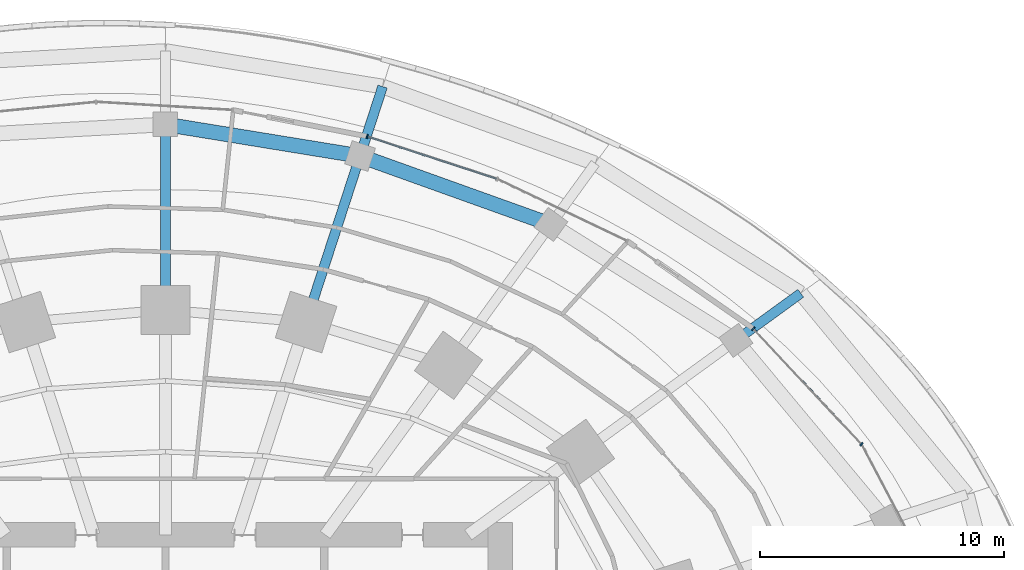
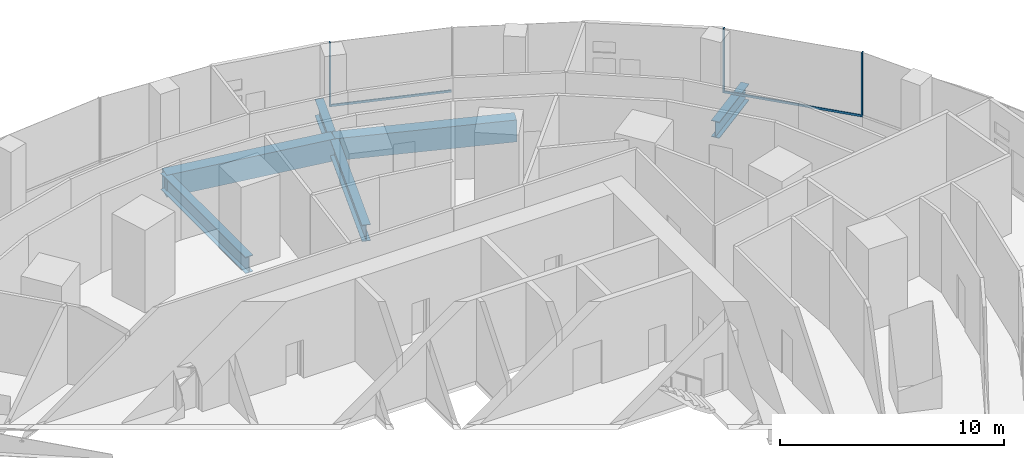
# One storey, part 11 of 26: 6 beams, 5 members, 2 elements without a shape of their own.
"""IFC4 building model written with IfcOpenShell, lengths in metres."""

from ifc_helpers import new_model, si_unit, direction, frame, origin, origin_2d, place, context, subcontext, project, spatial, rectangle, i_section, extrude, material, material_profile, profile_set, type_object, element, aggregate, save


model = new_model("IFC4")

# Units and contexts
model_context = context("Model", 3, precision=1e-05, world=origin(), true_north=direction((0.0, 1.0)))
body_context = subcontext(model_context, "Body", "Model", "MODEL_VIEW")
ifc_project = project(units=[si_unit("LENGTHUNIT", "METRE"), si_unit("AREAUNIT", "SQUARE_METRE"), si_unit("VOLUMEUNIT", "CUBIC_METRE"), si_unit("PLANEANGLEUNIT", "RADIAN"), si_unit("MASSUNIT", "GRAM", prefix="KILO")], contexts=[model_context])

# Site, building, storey
site_placement = place(None, origin())
site = spatial("IfcSite", under=ifc_project, at=site_placement, CompositionType="ELEMENT")
building_placement = place(site_placement, origin())
building = spatial("IfcBuilding", under=site, at=building_placement, Name="Marramba Exchange Tower", CompositionType="ELEMENT")
storey_placement = place(building_placement, frame((0.0, 0.0, 15.10009765625)))
storey = spatial("IfcBuildingStorey", under=building, at=storey_placement, Name="L03", CompositionType="ELEMENT", Elevation=15.10009765625)

# Beams
ifc_material_1 = material(Name="Concrete N50", Category="concrete")
ifc_material_profile_1 = material_profile(ifc_material_1, rectangle(XDim=0.60009765625, YDim=1.199951171875, at=origin_2d()), Name="RC 600x1200")
ifc_profile_set_1 = profile_set([ifc_material_profile_1], Name="Concrete N50")
beam_type_1 = type_object("IfcBeamType", Name="Edge beam RC 600x1200 N50", PredefinedType="SPANDREL", material=ifc_profile_set_1)
beam_1_placement = place(storey_placement, frame((15.769775390625, 21.705078125, -0.800048828125), z_axis=(-0.941347695699, 0.337438165895, 0.0), x_axis=(-0.337438165895, -0.941347695699, 0.0)))
element("IfcBeam", 1, at=beam_1_placement, inside=storey, type_object=beam_type_1, Name="Edge beam L03 P3C04", PredefinedType="SPANDREL", context=body_context, shape_type="SweptSolid", body=[
    extrude(rectangle(XDim=0.60009765625, YDim=1.199951171875, at=origin_2d()), origin(), (0.0, 0.0, 1.0), 8.29443359375),
])
beam_2_placement = place(storey_placement, frame((7.9619140625, 24.50390625, -0.800048828125), z_axis=(-0.987006935066, 0.160677659091, 0.0), x_axis=(-0.160677659091, -0.987006935066, 0.0)))
element("IfcBeam", 2, at=beam_2_placement, inside=storey, type_object=beam_type_1, Name="Edge beam L03 P3C05", PredefinedType="SPANDREL", context=body_context, shape_type="SweptSolid", body=[
    extrude(rectangle(XDim=0.60009765625, YDim=1.199951171875, at=origin_2d()), origin(), (0.0, 0.0, 1.0), 8.066650390625),
])

# Curtain wall, members
ifc_material_2 = material(Name="Aluminium framing, bronze anodised", Category="aluminium")
curtain_wall_type = type_object("IfcCurtainWallType", Name="Podium ribbon curtain wall", PredefinedType="USERDEFINED", material=ifc_material_2)
curtain_wall_1_placement = place(storey_placement, origin())
curtain_wall_1 = element("IfcCurtainWall", 3, at=curtain_wall_1_placement, inside=storey, type_object=curtain_wall_type, Name="Curtain wall CW2 L03 F02-F03", ObjectType="RIBBON CURTAIN WALL", PredefinedType="USERDEFINED")
ifc_material_3 = material(Name="Aluminium mullion, bronze anodised", Category="aluminium")
ifc_material_profile_2 = material_profile(ifc_material_3, rectangle(XDim=0.159912109375, YDim=0.06005859375, at=origin_2d()), Name="CW2 mullion 60x160")
ifc_profile_set_2 = profile_set([ifc_material_profile_2], Name="Aluminium mullion, bronze anodised")
member_type_1 = type_object("IfcMemberType", Name="Podium ribbon curtain wall mullion", PredefinedType="MULLION", material=ifc_profile_set_2)
member_1_placement = place(storey_placement, frame((28.482421875, 12.712158203125, 0.7998046875), z_axis=(0.0, 0.0, 1.0), x_axis=(-0.729344394125, -0.684146734815, 0.0)))
member_1 = element("IfcMember", 4, at=member_1_placement, type_object=member_type_1, Name="CW2 mullion 1", PredefinedType="MULLION", context=body_context, shape_type="SweptSolid", body=[
    extrude(rectangle(XDim=0.159912109375, YDim=0.06005859375, at=origin_2d()), origin(), (0.0, 0.0, 1.0), 3.5),
])
member_2_placement = place(storey_placement, frame((24.050537109375, 17.43701171875, 0.7998046875), z_axis=(0.0, 0.0, 1.0), x_axis=(-0.729344394125, -0.684146734815, 0.0)))
member_2 = element("IfcMember", 5, at=member_2_placement, type_object=member_type_1, Name="CW2 mullion 2", PredefinedType="MULLION", context=body_context, shape_type="SweptSolid", body=[
    extrude(rectangle(XDim=0.159912109375, YDim=0.06005859375, at=origin_2d()), origin(), (0.0, 0.0, 1.0), 3.5),
])

# Curtain wall, member
curtain_wall_2_placement = place(storey_placement, origin())
curtain_wall_2 = element("IfcCurtainWall", 6, at=curtain_wall_2_placement, inside=storey, type_object=curtain_wall_type, Name="Curtain wall CW2 L03 F06", ObjectType="RIBBON CURTAIN WALL", PredefinedType="USERDEFINED")
member_3_placement = place(storey_placement, frame((8.2529296875, 25.302978515625, 0.7998046875), z_axis=(0.0, 0.0, 1.0), x_axis=(-0.310861800816, -0.950455122977, 0.0)))
member_3 = element("IfcMember", 7, at=member_3_placement, type_object=member_type_1, Name="CW2 mullion 2", PredefinedType="MULLION", context=body_context, shape_type="SweptSolid", body=[
    extrude(rectangle(XDim=0.159912109375, YDim=0.06005859375, at=origin_2d()), origin(), (0.0, 0.0, 1.0), 3.5),
])

# Member
ifc_material_4 = material(Name="Aluminium transom, bronze anodised", Category="aluminium")
ifc_material_profile_3 = material_profile(ifc_material_4, rectangle(XDim=0.06005859375, YDim=0.1201171875, at=origin_2d()), Name="CW2 transom 60x120")
ifc_profile_set_3 = profile_set([ifc_material_profile_3], Name="Aluminium transom, bronze anodised")
member_type_2 = type_object("IfcMemberType", Name="Podium ribbon curtain wall transom", PredefinedType="USERDEFINED", material=ifc_profile_set_3)
member_4_placement = place(storey_placement, frame((28.4619140625, 12.734130859375, 0.829833984375), z_axis=(-0.684149886052, 0.729341438158, 0.0), x_axis=(-0.729341438158, -0.684149886052, 0.0)))
member_4 = element("IfcMember", 8, at=member_4_placement, type_object=member_type_2, Name="CW2 sill transom", ObjectType="TRANSOM", PredefinedType="USERDEFINED", context=body_context, shape_type="SweptSolid", body=[
    extrude(rectangle(XDim=0.06005859375, YDim=0.1201171875, at=origin_2d()), origin(), (0.0, 0.0, 1.0), 6.41796875),
])

aggregate(curtain_wall_1, [member_1, member_2, member_4])

member_5_placement = place(storey_placement, frame((13.542236328125, 23.5732421875, 0.829833984375), z_axis=(-0.950463251474, 0.310836946962, 0.0), x_axis=(-0.310836946962, -0.950463251474, 0.0)))
member_5 = element("IfcMember", 9, at=member_5_placement, type_object=member_type_2, Name="CW2 sill transom", ObjectType="TRANSOM", PredefinedType="USERDEFINED", context=body_context, shape_type="SweptSolid", body=[
    extrude(rectangle(XDim=0.06005859375, YDim=0.1201171875, at=origin_2d()), origin(), (0.0, 0.0, 1.0), 5.534912109375),
])

aggregate(curtain_wall_2, [member_3, member_5])

# Beams
ifc_material_5 = material(Name="Steel AS/NZS 3679.2 grade 300", Category="steel")
ifc_material_profile_4 = material_profile(ifc_material_5, i_section(OverallWidth=0.39990234375, OverallDepth=0.89990234375, WebThickness=0.01611328125, FlangeThickness=0.031982421875, at=origin_2d()), Name="900WB282")
ifc_profile_set_4 = profile_set([ifc_material_profile_4], Name="Steel AS/NZS 3679.2 grade 300")
beam_type_2 = type_object("IfcBeamType", Name="Radial girder 900WB282", PredefinedType="BEAM", material=ifc_profile_set_4)
beam_3_placement = place(storey_placement, frame((25.99658203125, 18.8876953125, -0.7001953125), z_axis=(-0.809015945709, -0.587786695655, 0.0), x_axis=(0.587786695655, -0.809015945709, 0.0)))
element("IfcBeam", 10, at=beam_3_placement, inside=storey, type_object=beam_type_2, Name="Radial girder L03 P2C03", PredefinedType="BEAM", context=body_context, shape_type="SweptSolid", body=[
    extrude(i_section(OverallWidth=0.39990234375, OverallDepth=0.89990234375, WebThickness=0.01611328125, FlangeThickness=0.031982421875, at=origin_2d()), origin(), (0.0, 0.0, 1.0), 3.281005859375),
])
beam_4_placement = place(storey_placement, frame((8.8857421875, 27.347412109375, -0.7001953125), z_axis=(-0.308991903915, -0.951064668314, 0.0), x_axis=(0.951064668314, -0.308991903915, 0.0)))
element("IfcBeam", 11, at=beam_4_placement, inside=storey, type_object=beam_type_2, Name="Radial girder L03 P2C05", PredefinedType="BEAM", context=body_context, shape_type="SweptSolid", body=[
    extrude(i_section(OverallWidth=0.39990234375, OverallDepth=0.89990234375, WebThickness=0.01611328125, FlangeThickness=0.031982421875, at=origin_2d()), origin(), (0.0, 0.0, 1.0), 2.98974609375),
])
beam_5_placement = place(storey_placement, frame((7.9619140625, 24.50390625, -0.650146484375), z_axis=(-0.309022717386, -0.951054656757, 0.0), x_axis=(0.951054656757, -0.309022717386, 0.0)))
element("IfcBeam", 12, at=beam_5_placement, inside=storey, type_object=beam_type_2, Name="Radial girder L03 P3C05", PredefinedType="BEAM", context=body_context, shape_type="SweptSolid", body=[
    extrude(i_section(OverallWidth=0.39990234375, OverallDepth=0.89990234375, WebThickness=0.01611328125, FlangeThickness=0.031982421875, at=origin_2d()), origin(), (0.0, 0.0, 1.0), 7.14501953125),
])
beam_6_placement = place(storey_placement, frame((0.0, 25.800048828125, -0.650146484375), z_axis=(0.0, -1.0, 0.0), x_axis=(1.0, 0.0, 0.0)))
element("IfcBeam", 13, at=beam_6_placement, inside=storey, type_object=beam_type_2, Name="Radial girder L03 P3C06", PredefinedType="BEAM", context=body_context, shape_type="SweptSolid", body=[
    extrude(i_section(OverallWidth=0.39990234375, OverallDepth=0.89990234375, WebThickness=0.01611328125, FlangeThickness=0.031982421875, at=origin_2d()), origin(), (0.0, 0.0, 1.0), 7.595947265625),
])

save(model, "model.ifc")
